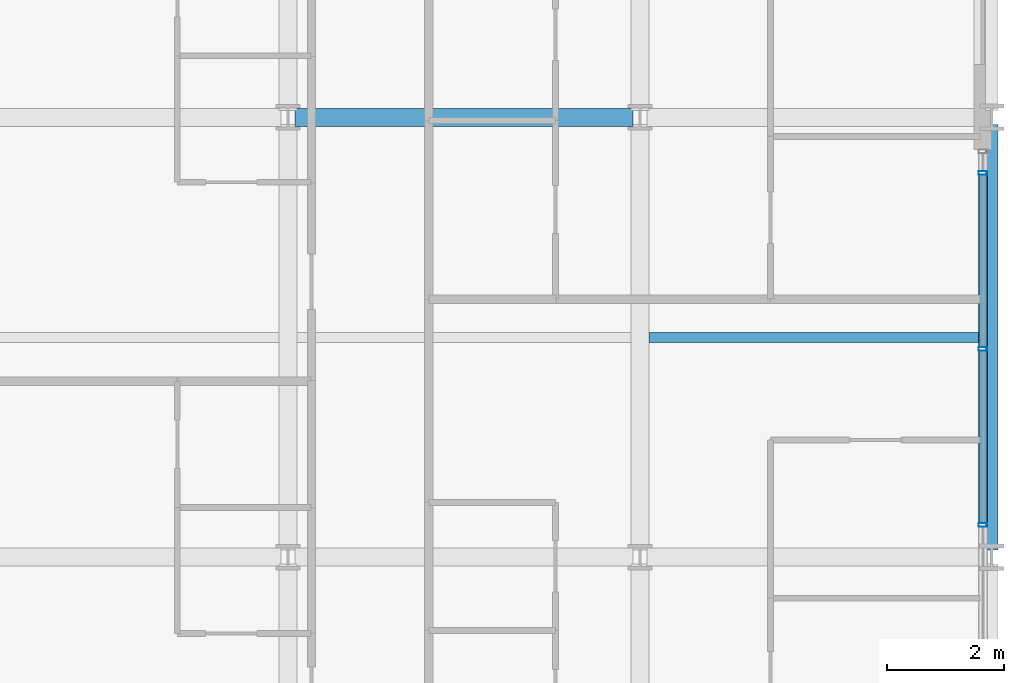
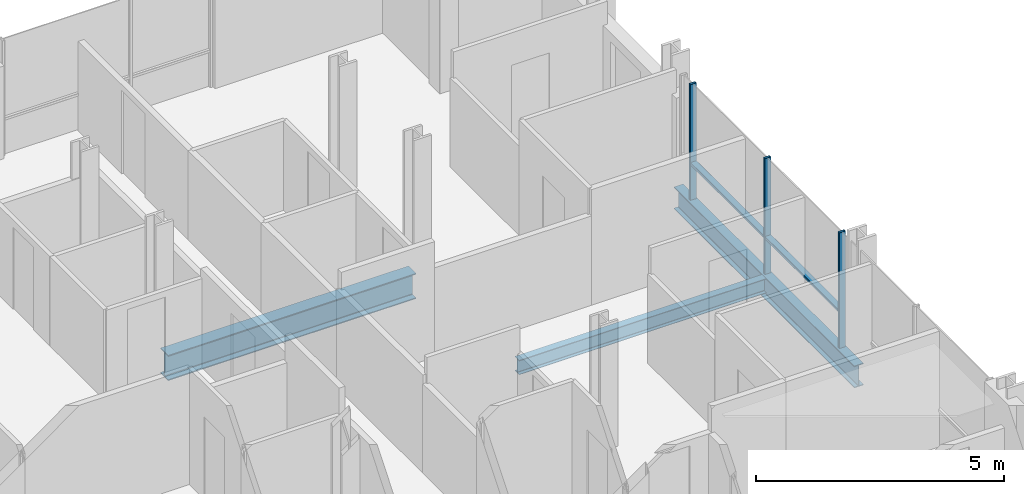
# One storey, part 19 of 41: 5 members, 3 beams, 1 element without a shape of its own.
"""IFC4 building model written with IfcOpenShell, lengths in metres."""

from ifc_helpers import new_model, si_unit, direction, frame, origin, origin_2d, place, context, subcontext, project, spatial, hollow_rectangle, i_section, extrude, material, layer, layer_set, material_profile, profile_set, type_object, element, aggregate, save


model = new_model("IFC4")

# Units and contexts
model_context = context("Model", 3, precision=1e-05, world=origin(), true_north=direction((0.0, 1.0)))
body_context = subcontext(model_context, "Body", "Model", "MODEL_VIEW")
ifc_project = project(units=[si_unit("LENGTHUNIT", "METRE"), si_unit("AREAUNIT", "SQUARE_METRE"), si_unit("VOLUMEUNIT", "CUBIC_METRE"), si_unit("PLANEANGLEUNIT", "RADIAN"), si_unit("MASSUNIT", "GRAM", prefix="KILO")], contexts=[model_context])

# Site, building, storey
site_placement = place(None, origin())
site = spatial("IfcSite", under=ifc_project, at=site_placement, CompositionType="ELEMENT")
building_placement = place(site_placement, origin())
building = spatial("IfcBuilding", under=site, at=building_placement, Name="Brevholm Reach", CompositionType="ELEMENT")
storey_placement = place(building_placement, frame((0.0, 0.0, 93.10009765625)))
storey = spatial("IfcBuildingStorey", under=building, at=storey_placement, Name="L27", CompositionType="ELEMENT", Elevation=93.10009765625)

# Beams
ifc_material_1 = material(Name="Structural Steel S355J2", Category="steel")
ifc_material_profile_1 = material_profile(ifc_material_1, i_section(OverallWidth=0.17138671875, OverallDepth=0.35498046875, WebThickness=0.00732421875, FlangeThickness=0.011474609375, FilletRadius=0.01025390625, at=origin_2d()), Name="UKB 356x171x51")
ifc_profile_set_1 = profile_set([ifc_material_profile_1], Name="Structural Steel S355J2")
beam_type_1 = type_object("IfcBeamType", Name="BM-B356", PredefinedType="BEAM", material=ifc_profile_set_1)
beam_1_placement = place(storey_placement, frame((54.153564453125, 19.75, -0.40771484375), z_axis=(1.0, 0.0, 0.0), x_axis=(0.0, 1.0, 0.0)))
element("IfcBeam", 1, at=beam_1_placement, inside=storey, type_object=beam_type_1, Name="L27 Composite Secondary Floor Beam", PredefinedType="BEAM", context=body_context, shape_type="SweptSolid", body=[
    extrude(i_section(OverallWidth=0.17138671875, OverallDepth=0.35498046875, WebThickness=0.00732421875, FlangeThickness=0.011474609375, FilletRadius=0.01025390625, at=origin_2d()), origin(), (0.0, 0.0, 1.0), 5.740966796875),
])
ifc_material_2 = material(Name="Structural Steel S355J2", Category="steel")
ifc_material_profile_2 = material_profile(ifc_material_2, i_section(OverallWidth=0.210693359375, OverallDepth=0.53955078125, WebThickness=0.01171875, FlangeThickness=0.018798828125, FilletRadius=0.0126953125, at=origin_2d()), Name="UKB 533x210x109")
ifc_profile_set_2 = profile_set([ifc_material_profile_2], Name="Structural Steel S355J2")
beam_type_2 = type_object("IfcBeamType", Name="BM-SP539", PredefinedType="SPANDREL", material=ifc_profile_set_2)
beam_2_placement = place(storey_placement, frame((60.0, 16.1201171875, -0.499755859375), z_axis=(0.0, 1.0, 0.0), x_axis=(-1.0, 0.0, 0.0)))
element("IfcBeam", 2, at=beam_2_placement, inside=storey, type_object=beam_type_2, Name="L27 SP-01B Framing Beam", PredefinedType="SPANDREL", context=body_context, shape_type="SweptSolid", body=[
    extrude(i_section(OverallWidth=0.210693359375, OverallDepth=0.53955078125, WebThickness=0.01171875, FlangeThickness=0.018798828125, FilletRadius=0.0126953125, at=origin_2d()), origin(), (0.0, 0.0, 1.0), 7.259765625),
])
ifc_material_3 = material(Name="Structural Steel S355J2", Category="steel")
ifc_material_profile_3 = material_profile(ifc_material_3, i_section(OverallWidth=0.30712890625, OverallDepth=0.6201171875, WebThickness=0.01416015625, FlangeThickness=0.023681640625, FilletRadius=0.0166015625, at=origin_2d()), Name="UKB 610x305x179")
ifc_profile_set_3 = profile_set([ifc_material_profile_3], Name="Structural Steel S355J2")
beam_type_3 = type_object("IfcBeamType", Name="BM-UKB610H", PredefinedType="USERDEFINED", material=ifc_profile_set_3)
beam_3_placement = place(storey_placement, frame((48.1201171875, 23.5, -0.540283203125), z_axis=(1.0, 0.0, 0.0), x_axis=(0.0, 1.0, 0.0)))
element("IfcBeam", 3, at=beam_3_placement, inside=storey, type_object=beam_type_3, Name="L27 G-06 Framing Beam", ObjectType="GIRDER", PredefinedType="USERDEFINED", context=body_context, shape_type="SweptSolid", body=[
    extrude(i_section(OverallWidth=0.30712890625, OverallDepth=0.6201171875, WebThickness=0.01416015625, FlangeThickness=0.023681640625, FilletRadius=0.0166015625, at=origin_2d()), origin(), (0.0, 0.0, 1.0), 5.759765625),
])

# Curtain wall, members
ifc_material_4 = material(Name="Dark Anodised Aluminium 6063-T6 and Solar-Control Glass", Category="aluminium")
ifc_layer = layer(ifc_material_4, 0.14990234375)
ifc_layer_set = layer_set([ifc_layer], Name="Dark Anodised Aluminium 6063-T6 and Solar-Control Glass")
curtain_wall_type = type_object("IfcCurtainWallType", Name="CW-01", PredefinedType="NOTDEFINED", material=ifc_layer_set)
curtain_wall_placement = place(storey_placement, origin())
curtain_wall = element("IfcCurtainWall", 4, at=curtain_wall_placement, inside=storey, type_object=curtain_wall_type, Name="L27 Curtain Wall CW-01", PredefinedType="NOTDEFINED")
ifc_material_5 = material(Name="Dark Anodised Aluminium 6063-T6", Category="aluminium")
ifc_material_profile_4 = material_profile(ifc_material_5, hollow_rectangle(XDim=0.06494140625, YDim=0.14990234375, WallThickness=0.0048828125, InnerFilletRadius=0.0048828125, OuterFilletRadius=0.010009765625, at=origin_2d()), Name="RHS 150x65x5")
ifc_profile_set_4 = profile_set([ifc_material_profile_4], Name="Dark Anodised Aluminium 6063-T6")
member_type_1 = type_object("IfcMemberType", Name="CWM-150", PredefinedType="MULLION", material=ifc_profile_set_4)
member_1_placement = place(storey_placement, frame((59.85009765625, 16.550048828125, 0.0), z_axis=(0.0, 0.0, 1.0), x_axis=(0.0, 1.0, 0.0)))
member_1 = element("IfcMember", 5, at=member_1_placement, type_object=member_type_1, Name="CM-150 Mullion 3", PredefinedType="MULLION", context=body_context, shape_type="SweptSolid", body=[
    extrude(hollow_rectangle(XDim=0.06494140625, YDim=0.14990234375, WallThickness=0.0048828125, InnerFilletRadius=0.0048828125, OuterFilletRadius=0.010009765625, at=origin_2d()), origin(), (0.0, 0.0, 1.0), 2.83984375),
])
member_2_placement = place(storey_placement, frame((59.85009765625, 19.550048828125, 0.0), z_axis=(0.0, 0.0, 1.0), x_axis=(0.0, 1.0, 0.0)))
member_2 = element("IfcMember", 6, at=member_2_placement, type_object=member_type_1, Name="CM-150 Mullion 4", PredefinedType="MULLION", context=body_context, shape_type="SweptSolid", body=[
    extrude(hollow_rectangle(XDim=0.06494140625, YDim=0.14990234375, WallThickness=0.0048828125, InnerFilletRadius=0.0048828125, OuterFilletRadius=0.010009765625, at=origin_2d()), origin(), (0.0, 0.0, 1.0), 2.83984375),
])
member_3_placement = place(storey_placement, frame((59.85009765625, 22.550048828125, 0.0), z_axis=(0.0, 0.0, 1.0), x_axis=(0.0, 1.0, 0.0)))
member_3 = element("IfcMember", 7, at=member_3_placement, type_object=member_type_1, Name="CM-150 Mullion 5", PredefinedType="MULLION", context=body_context, shape_type="SweptSolid", body=[
    extrude(hollow_rectangle(XDim=0.06494140625, YDim=0.14990234375, WallThickness=0.0048828125, InnerFilletRadius=0.0048828125, OuterFilletRadius=0.010009765625, at=origin_2d()), origin(), (0.0, 0.0, 1.0), 2.83984375),
])
ifc_material_6 = material(Name="Dark Anodised Aluminium 6063-T6", Category="aluminium")
ifc_material_profile_5 = material_profile(ifc_material_6, hollow_rectangle(XDim=0.06494140625, YDim=0.14990234375, WallThickness=0.0048828125, InnerFilletRadius=0.0048828125, OuterFilletRadius=0.010009765625, at=origin_2d()), Name="RHS 150x65x5")
ifc_profile_set_5 = profile_set([ifc_material_profile_5], Name="Dark Anodised Aluminium 6063-T6")
member_type_2 = type_object("IfcMemberType", Name="CWT-150", PredefinedType="NOTDEFINED", material=ifc_profile_set_5)
member_4_placement = place(storey_placement, frame((59.85009765625, 16.58251953125, 0.89990234375), z_axis=(0.0, 1.0, 0.0), x_axis=(0.0, 0.0, 1.0)))
member_4 = element("IfcMember", 8, at=member_4_placement, type_object=member_type_2, Name="CT-150 Transom 3.1", ObjectType="TRANSOM", PredefinedType="USERDEFINED", context=body_context, shape_type="SweptSolid", body=[
    extrude(hollow_rectangle(XDim=0.06494140625, YDim=0.14990234375, WallThickness=0.0048828125, InnerFilletRadius=0.0048828125, OuterFilletRadius=0.010009765625, at=origin_2d()), origin(), (0.0, 0.0, 1.0), 2.93505859375),
])
member_5_placement = place(storey_placement, frame((59.85009765625, 19.58251953125, 0.89990234375), z_axis=(0.0, 1.0, 0.0), x_axis=(0.0, 0.0, 1.0)))
member_5 = element("IfcMember", 9, at=member_5_placement, type_object=member_type_2, Name="CT-150 Transom 4.1", ObjectType="TRANSOM", PredefinedType="USERDEFINED", context=body_context, shape_type="SweptSolid", body=[
    extrude(hollow_rectangle(XDim=0.06494140625, YDim=0.14990234375, WallThickness=0.0048828125, InnerFilletRadius=0.0048828125, OuterFilletRadius=0.010009765625, at=origin_2d()), origin(), (0.0, 0.0, 1.0), 2.93505859375),
])
aggregate(curtain_wall, [member_1, member_2, member_3, member_4, member_5])

save(model, "model.ifc")
